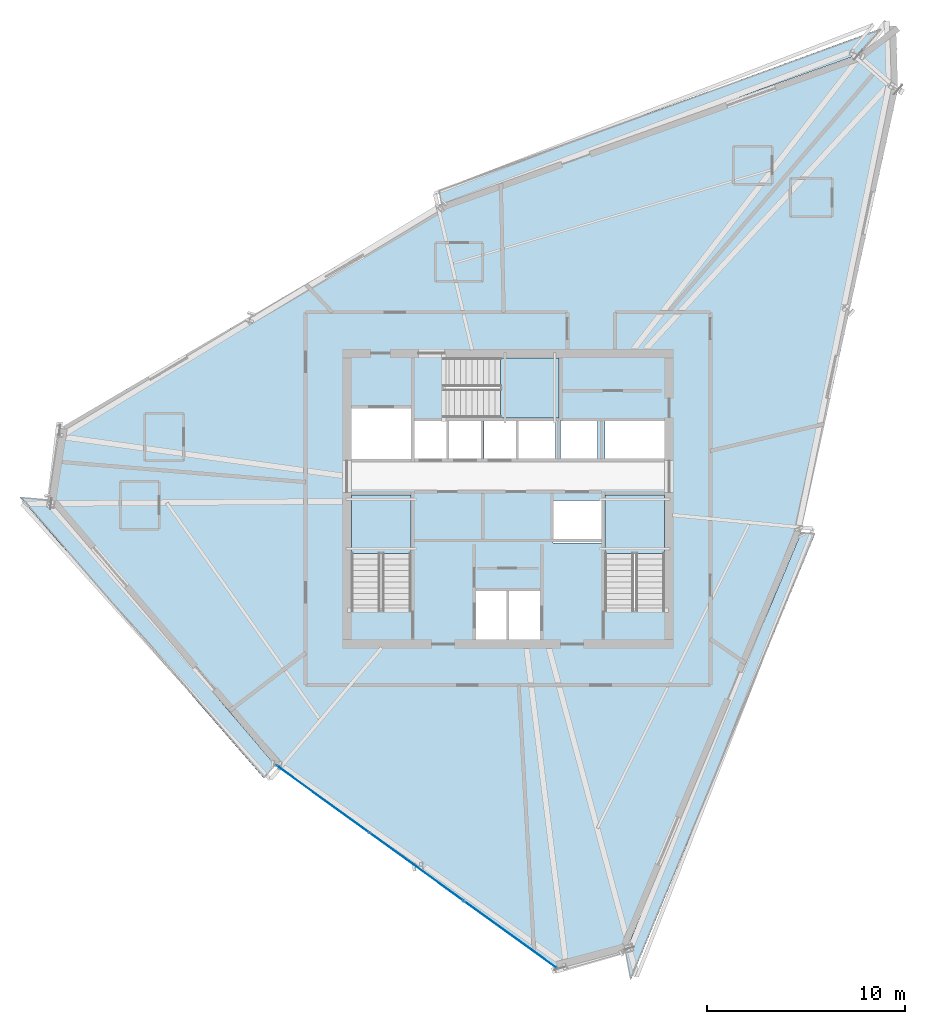
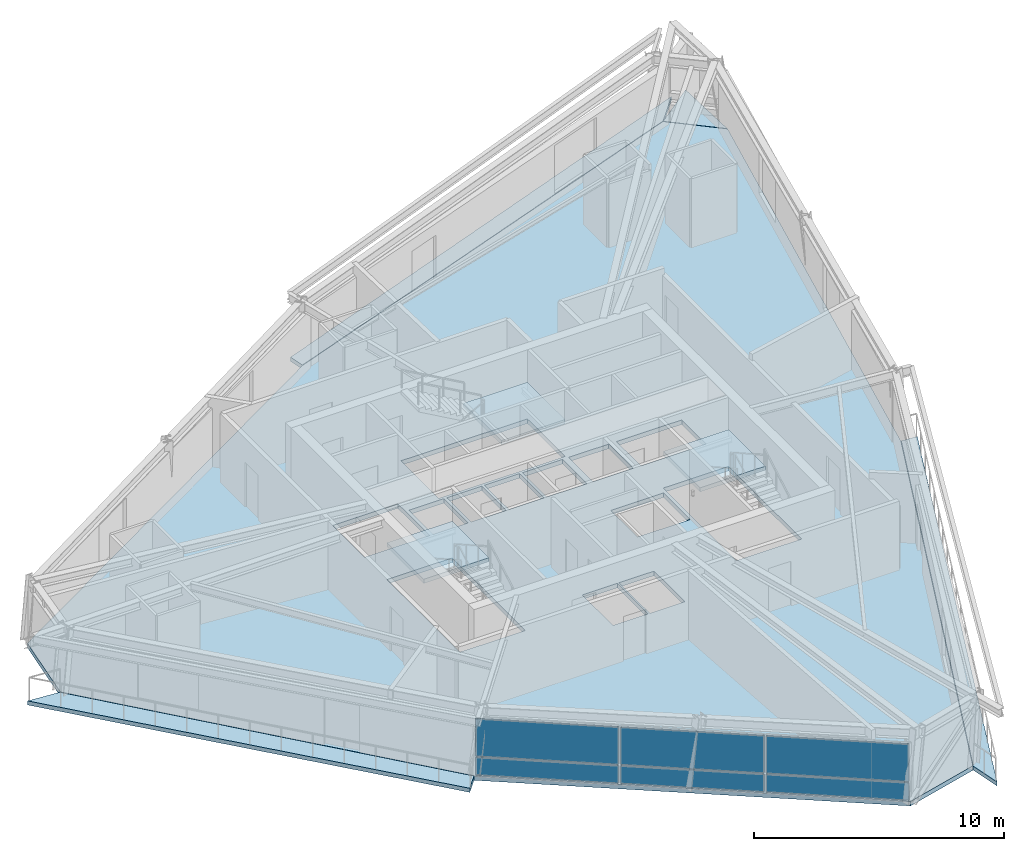
# One storey, part 5 of 14: 8 slabs, 6 plates, 4 elements without a shape of their own.
"""IFC4 building model written with IfcOpenShell, lengths in metres."""

from ifc_helpers import new_model, si_unit, direction, frame, origin, origin_2d, place, context, subcontext, project, spatial, polyline, rectangle, outline, extrude, source, transform, mapped, material, layer, layer_set, type_object, element, aggregate, save


model = new_model("IFC4")

# Units and contexts
model_context = context("Model", 3, precision=1e-05, world=origin(), true_north=direction((0.0, 1.0)))
body_context = subcontext(model_context, "Body", "Model", "MODEL_VIEW")
ifc_project = project(units=[si_unit("LENGTHUNIT", "METRE"), si_unit("AREAUNIT", "SQUARE_METRE"), si_unit("VOLUMEUNIT", "CUBIC_METRE"), si_unit("PLANEANGLEUNIT", "RADIAN"), si_unit("MASSUNIT", "GRAM", prefix="KILO")], contexts=[model_context])

# Site, building, storey
site_placement = place(None, origin())
site = spatial("IfcSite", under=ifc_project, at=site_placement, CompositionType="ELEMENT")
building_placement = place(site_placement, origin())
building = spatial("IfcBuilding", under=site, at=building_placement, Name="Olszyna Solenne Hotel", CompositionType="ELEMENT")
storey_placement = place(building_placement, frame((0.0, 0.0, 234.5)))
storey = spatial("IfcBuildingStorey", under=building, at=storey_placement, Name="L62", CompositionType="ELEMENT", Elevation=234.5)

# Stair, slab
ifc_material_1 = material(Name="Concrete C40/50", Category="concrete")
stair_type = type_object("IfcStairType", Name="STR-C1", PredefinedType="TWO_QUARTER_WINDING_STAIR", material=ifc_material_1)
stair_1_placement = place(storey_placement, origin())
stair_1 = element("IfcStair", 1, at=stair_1_placement, inside=storey, type_object=stair_type, Name="L62 ST1", PredefinedType="TWO_QUARTER_WINDING_STAIR")
ifc_layer_1 = layer(ifc_material_1, 0.18994140625, Name="Concrete C40/50")
ifc_layer_set_1 = layer_set([ifc_layer_1], Name="Concrete C40/50")
slab_type_1 = type_object("IfcSlabType", Name="SL-LN190", PredefinedType="LANDING", material=ifc_layer_set_1)
slab_1_placement = place(storey_placement, frame((0.0, 0.0, 1.60009765625)))
slab_1 = element("IfcSlab", 2, at=slab_1_placement, type_object=slab_type_1, Name="ST1 landing 1", PredefinedType="LANDING", context=body_context, shape_type="SweptSolid", body=[
    extrude(outline(polyline([(33.1201171875, 23.85009765625), (33.1201171875, 26.800048828125), (30.10009765625, 26.800048828125), (30.10009765625, 23.85009765625), (33.1201171875, 23.85009765625)])), origin(), (0.0, 0.0, 1.0), 0.199951171875),
])
aggregate(stair_1, [slab_1])

stair_2_placement = place(storey_placement, origin())
stair_2 = element("IfcStair", 3, at=stair_2_placement, inside=storey, type_object=stair_type, Name="L62 ST2", PredefinedType="TWO_QUARTER_WINDING_STAIR")
slab_2_placement = place(storey_placement, frame((0.0, 0.0, 1.60009765625)))
slab_2 = element("IfcSlab", 4, at=slab_2_placement, type_object=slab_type_1, Name="ST2 landing 1", PredefinedType="LANDING", context=body_context, shape_type="SweptSolid", body=[
    extrude(outline(polyline([(45.89990234375, 23.85009765625), (45.89990234375, 26.800048828125), (42.8798828125, 26.800048828125), (42.8798828125, 23.85009765625), (45.89990234375, 23.85009765625)])), origin(), (0.0, 0.0, 1.0), 0.199951171875),
])
aggregate(stair_2, [slab_2])

stair_3_placement = place(storey_placement, origin())
stair_3 = element("IfcStair", 5, at=stair_3_placement, inside=storey, type_object=stair_type, Name="L62 ST3", PredefinedType="TWO_QUARTER_WINDING_STAIR")
slab_3_placement = place(storey_placement, frame((0.0, 0.0, 1.60009765625)))
slab_3 = element("IfcSlab", 6, at=slab_3_placement, type_object=slab_type_1, Name="ST3 landing 1", PredefinedType="LANDING", context=body_context, shape_type="SweptSolid", body=[
    extrude(outline(polyline([(37.6298828125, 30.679931640625), (40.580078125, 30.679931640625), (40.580078125, 33.699951171875), (37.6298828125, 33.699951171875), (37.6298828125, 30.679931640625)])), origin(), (0.0, 0.0, 1.0), 0.199951171875),
])
aggregate(stair_3, [slab_3])

# Slabs
ifc_material_2 = material(Name="Precast concrete C45/55", Category="concrete")
ifc_layer_2 = layer(ifc_material_2, 0.199951171875, Name="Precast concrete C45/55")
ifc_layer_set_2 = layer_set([ifc_layer_2], Name="Precast concrete C45/55")
slab_type_2 = type_object("IfcSlabType", Name="SL-LOG200", PredefinedType="FLOOR", material=ifc_layer_set_2)
slab_4_placement = place(storey_placement, frame((0.0, 0.0, -0.199951171875)))
element("IfcSlab", 7, at=slab_4_placement, inside=storey, type_object=slab_type_2, Name="Exterior loggia balcony slab SL-L62-LG1", PredefinedType="FLOOR", context=body_context, shape_type="SweptSolid", body=[
    extrude(outline(polyline([(34.654296875, 41.460693359375), (55.65966796875, 48.9873046875), (55.717529296875, 49.031982421875), (56.8349609375, 50.318359375), (34.517578125, 42.17919921875), (34.654296875, 41.460693359375)])), origin(), (0.0, 0.0, 1.0), 0.199951171875),
])
slab_5_placement = place(storey_placement, frame((0.0, 0.0, -0.199951171875)))
element("IfcSlab", 8, at=slab_5_placement, inside=storey, type_object=slab_type_2, Name="Exterior loggia balcony slab SL-L62-LG2", PredefinedType="FLOOR", context=body_context, shape_type="SweptSolid", body=[
    extrude(outline(polyline([(26.261474609375, 13.178466796875), (26.260986328125, 13.1787109375), (26.259765625, 13.179931640625), (14.8349609375, 26.527587890625), (14.833984375, 26.52880859375), (14.83349609375, 26.52978515625), (14.832763671875, 26.53125), (14.832275390625, 26.532470703125), (14.831787109375, 26.533935546875), (14.83154296875, 26.535400390625), (14.831298828125, 26.53662109375), (14.831298828125, 26.5380859375), (14.83154296875, 26.53857421875), (13.399658203125, 26.65966796875), (25.687255859375, 12.517333984375), (26.261474609375, 13.178466796875)])), origin(), (0.0, 0.0, 1.0), 0.199951171875),
])
slab_6_placement = place(storey_placement, frame((0.0, 0.0, -0.199951171875)))
element("IfcSlab", 9, at=slab_6_placement, inside=storey, type_object=slab_type_2, Name="Exterior loggia balcony slab SL-L62-LG3", PredefinedType="FLOOR", context=body_context, shape_type="SweptSolid", body=[
    extrude(outline(polyline([(52.780517578125, 24.890869140625), (52.7802734375, 24.888916015625), (52.77978515625, 24.8876953125), (52.779296875, 24.886474609375), (43.93115234375, 3.79833984375), (43.9306640625, 3.797119140625), (43.9296875, 3.795654296875), (43.928955078125, 3.79443359375), (43.927734375, 3.79345703125), (43.9267578125, 3.79248046875), (43.92529296875, 3.79150390625), (43.924072265625, 3.790771484375), (43.922607421875, 3.790283203125), (43.92138671875, 3.789794921875), (43.920166015625, 3.789306640625), (44.1962890625, 2.33740234375), (53.48876953125, 24.8310546875), (52.780517578125, 24.890869140625)])), origin(), (0.0, 0.0, 1.0), 0.199951171875),
])
ifc_material_3 = material(Name="Concrete C50/60", Category="concrete")
ifc_layer_3 = layer(ifc_material_3, 0.219970703125, Name="Concrete C50/60")
ifc_layer_set_3 = layer_set([ifc_layer_3], Name="Concrete C50/60")
slab_type_3 = type_object("IfcSlabType", Name="SL-TW225", PredefinedType="FLOOR", material=ifc_layer_set_3)
slab_7_placement = place(storey_placement, frame((0.0, 0.0, -0.219970703125)))
element("IfcSlab", 10, at=slab_7_placement, inside=storey, type_object=slab_type_3, Name="Floor slab SL-TW225 SL-L62-01", PredefinedType="FLOOR", context=body_context, shape_type="SweptSolid", body=[
    extrude(outline(polyline([(57.652587890625, 47.23291015625), (55.6669921875, 48.973876953125), (34.656982421875, 41.44580078125), (15.406005859375, 30.154052734375), (14.846435546875, 26.537353515625), (26.271240234375, 13.189697265625), (40.510498046875, 2.897705078125), (43.91748046875, 3.80419921875), (52.765380859375, 24.89208984375), (57.652587890625, 47.23291015625)]), holes=[polyline([(30.10009765625, 20.949951171875), (33.1201171875, 20.949951171875), (33.1201171875, 26.800048828125), (30.10009765625, 26.800048828125), (30.10009765625, 20.949951171875)]), polyline([(42.8798828125, 20.949951171875), (45.89990234375, 20.949951171875), (45.89990234375, 26.800048828125), (42.8798828125, 26.800048828125), (42.8798828125, 20.949951171875)]), polyline([(34.72998046875, 30.679931640625), (40.580078125, 30.679931640625), (40.580078125, 33.699951171875), (34.72998046875, 33.699951171875), (34.72998046875, 30.679931640625)]), polyline([(36.340087890625, 19.5), (37.9599609375, 19.5), (37.9599609375, 21.9599609375), (36.340087890625, 21.9599609375), (36.340087890625, 19.5)]), polyline([(38.0400390625, 19.5), (39.659912109375, 19.5), (39.659912109375, 21.9599609375), (38.0400390625, 21.9599609375), (38.0400390625, 19.5)]), polyline([(30.10009765625, 28.60009765625), (33.1201171875, 28.60009765625), (33.1201171875, 31.159912109375), (30.10009765625, 31.159912109375), (30.10009765625, 28.60009765625)]), polyline([(40.280029296875, 24.360107421875), (42.719970703125, 24.360107421875), (42.719970703125, 26.5), (40.280029296875, 26.5), (40.280029296875, 24.360107421875)]), polyline([(33.280029296875, 28.60009765625), (34.89990234375, 28.60009765625), (34.89990234375, 30.550048828125), (33.280029296875, 30.550048828125), (33.280029296875, 28.60009765625)]), polyline([(35.030029296875, 28.60009765625), (36.64990234375, 28.60009765625), (36.64990234375, 30.550048828125), (35.030029296875, 30.550048828125), (35.030029296875, 28.60009765625)]), polyline([(36.780029296875, 28.60009765625), (38.39990234375, 28.60009765625), (38.39990234375, 30.550048828125), (36.780029296875, 30.550048828125), (36.780029296875, 28.60009765625)]), polyline([(38.530029296875, 28.60009765625), (40.389892578125, 28.60009765625), (40.389892578125, 30.550048828125), (38.530029296875, 30.550048828125), (38.530029296875, 28.60009765625)]), polyline([(40.659912109375, 28.60009765625), (42.52001953125, 28.60009765625), (42.52001953125, 30.550048828125), (40.659912109375, 30.550048828125), (40.659912109375, 28.60009765625)]), polyline([(42.8798828125, 28.60009765625), (45.89990234375, 28.60009765625), (45.89990234375, 30.550048828125), (42.8798828125, 30.550048828125), (42.8798828125, 28.60009765625)])]), origin(), (0.0, 0.0, 1.0), 0.219970703125),
])
slab_8_placement = place(storey_placement, frame((0.0, 0.0, -0.219970703125)))
element("IfcSlab", 11, at=slab_8_placement, inside=storey, type_object=slab_type_3, Name="Faceted glass-prism floor slab SL-L62-PR", PredefinedType="FLOOR", context=body_context, shape_type="SweptSolid", body=[
    extrude(outline(polyline([(55.675048828125, 48.97998046875), (57.652099609375, 47.24658203125), (57.55810546875, 50.441162109375), (55.675048828125, 48.97998046875)])), origin(), (0.0, 0.0, 1.0), 0.219970703125),
])

# Curtain wall, plates
ifc_material_4 = material(Name="Anodised bronze aluminium", Category="aluminium")
curtain_wall_type = type_object("IfcCurtainWallType", Name="CW-SYS-4", PredefinedType="NOTDEFINED", material=ifc_material_4)
curtain_wall_placement = place(storey_placement, origin())
curtain_wall = element("IfcCurtainWall", 12, at=curtain_wall_placement, inside=storey, type_object=curtain_wall_type, Name="Unitised curtain wall CW-SYS-4 CW-L62-01", PredefinedType="NOTDEFINED")
ifc_material_5 = material(Name="Terracotta cladding", Category="masonry")
plate_type_1 = type_object("IfcPlateType", Name="PN-SP1", PredefinedType="CURTAIN_PANEL", material=ifc_material_5)
shared_shape_1 = source(origin(), body_context, "Body", "SweptSolid", [
    extrude(rectangle(XDim=5.759033203125, YDim=0.035888671875, at=origin_2d()), origin(), (0.0, 0.0, 1.0), 0.8525390625),
])
plate_1_placement = place(storey_placement, frame((28.65771484375, 11.46484375, 0.06494140625), z_axis=(0.0, 0.0, 1.0), x_axis=(0.810463350673, -0.585789345427, 0.0)))
plate_1 = element("IfcPlate", 13, at=plate_1_placement, type_object=plate_type_1, Name="Curtain-wall panel PN-SP1 CP-L62-01-01", PredefinedType="CURTAIN_PANEL", context=body_context, shape_type="MappedRepresentation", body=[
    mapped(shared_shape_1, transform((0.0, 0.0, 0.0), x_axis=(1.0, 0.0, 0.0), y_axis=(0.0, 1.0, 0.0), z_axis=(0.0, 0.0, 1.0), scale=1.0)),
])
plate_2_placement = place(storey_placement, frame((38.124267578125, 4.62255859375, 0.06494140625), z_axis=(0.0, 0.0, 1.0), x_axis=(0.810463350673, -0.585789345427, 0.0)))
plate_2 = element("IfcPlate", 14, at=plate_2_placement, type_object=plate_type_1, Name="Curtain-wall panel PN-SP1 CP-L62-01-05", PredefinedType="CURTAIN_PANEL", context=body_context, shape_type="MappedRepresentation", body=[
    mapped(shared_shape_1, transform((0.0, 0.0, 0.0), x_axis=(1.0, 0.0, 0.0), y_axis=(0.0, 1.0, 0.0), z_axis=(0.0, 0.0, 1.0), scale=1.0)),
])
ifc_material_6 = material(Name="Low-E triple glazing", Category="glass")
plate_type_2 = type_object("IfcPlateType", Name="PN-GL1", PredefinedType="CURTAIN_PANEL", material=ifc_material_6)
shared_shape_2 = source(origin(), body_context, "Body", "SweptSolid", [
    extrude(rectangle(XDim=5.759033203125, YDim=0.035888671875, at=origin_2d()), origin(), (0.0, 0.0, 1.0), 1.824462890625),
])
plate_3_placement = place(storey_placement, frame((28.65771484375, 11.46484375, 0.982421875), z_axis=(0.0, 0.0, 1.0), x_axis=(0.810463350673, -0.585789345427, 0.0)))
plate_3 = element("IfcPlate", 15, at=plate_3_placement, type_object=plate_type_2, Name="Curtain-wall panel PN-GL1 CP-L62-01-02", PredefinedType="CURTAIN_PANEL", context=body_context, shape_type="MappedRepresentation", body=[
    mapped(shared_shape_2, transform((0.0, 0.0, 0.0), x_axis=(1.0, 0.0, 0.0), y_axis=(0.0, 1.0, 0.0), z_axis=(0.0, 0.0, 1.0), scale=1.0)),
])
plate_4_placement = place(storey_placement, frame((38.124267578125, 4.62255859375, 0.982421875), z_axis=(0.0, 0.0, 1.0), x_axis=(0.810463350673, -0.585789345427, 0.0)))
plate_4 = element("IfcPlate", 16, at=plate_4_placement, type_object=plate_type_2, Name="Curtain-wall panel PN-GL1 CP-L62-01-06", PredefinedType="CURTAIN_PANEL", context=body_context, shape_type="MappedRepresentation", body=[
    mapped(shared_shape_2, transform((0.0, 0.0, 0.0), x_axis=(1.0, 0.0, 0.0), y_axis=(0.0, 1.0, 0.0), z_axis=(0.0, 0.0, 1.0), scale=1.0)),
])
shared_shape_3 = source(origin(), body_context, "Body", "SweptSolid", [
    extrude(rectangle(XDim=5.79150390625, YDim=0.035888671875, at=origin_2d()), origin(), (0.0, 0.0, 1.0), 0.8525390625),
])
plate_5_placement = place(storey_placement, frame((33.390869140625, 8.043701171875, 0.06494140625), z_axis=(0.0, 0.0, 1.0), x_axis=(0.810463350673, -0.585789345427, 0.0)))
plate_5 = element("IfcPlate", 17, at=plate_5_placement, type_object=plate_type_1, Name="Curtain-wall panel PN-SP1 CP-L62-01-03", PredefinedType="CURTAIN_PANEL", context=body_context, shape_type="MappedRepresentation", body=[
    mapped(shared_shape_3, transform((0.0, 0.0, 0.0), x_axis=(1.0, 0.0, 0.0), y_axis=(0.0, 1.0, 0.0), z_axis=(0.0, 0.0, 1.0), scale=1.0)),
])
shared_shape_4 = source(origin(), body_context, "Body", "SweptSolid", [
    extrude(rectangle(XDim=5.79150390625, YDim=0.035888671875, at=origin_2d()), origin(), (0.0, 0.0, 1.0), 1.824462890625),
])
plate_6_placement = place(storey_placement, frame((33.390869140625, 8.043701171875, 0.982421875), z_axis=(0.0, 0.0, 1.0), x_axis=(0.810463350673, -0.585789345427, 0.0)))
plate_6 = element("IfcPlate", 18, at=plate_6_placement, type_object=plate_type_2, Name="Curtain-wall panel PN-GL1 CP-L62-01-04", PredefinedType="CURTAIN_PANEL", context=body_context, shape_type="MappedRepresentation", body=[
    mapped(shared_shape_4, transform((0.0, 0.0, 0.0), x_axis=(1.0, 0.0, 0.0), y_axis=(0.0, 1.0, 0.0), z_axis=(0.0, 0.0, 1.0), scale=1.0)),
])
aggregate(curtain_wall, [plate_1, plate_3, plate_5, plate_6, plate_2, plate_4])

save(model, "model.ifc")
